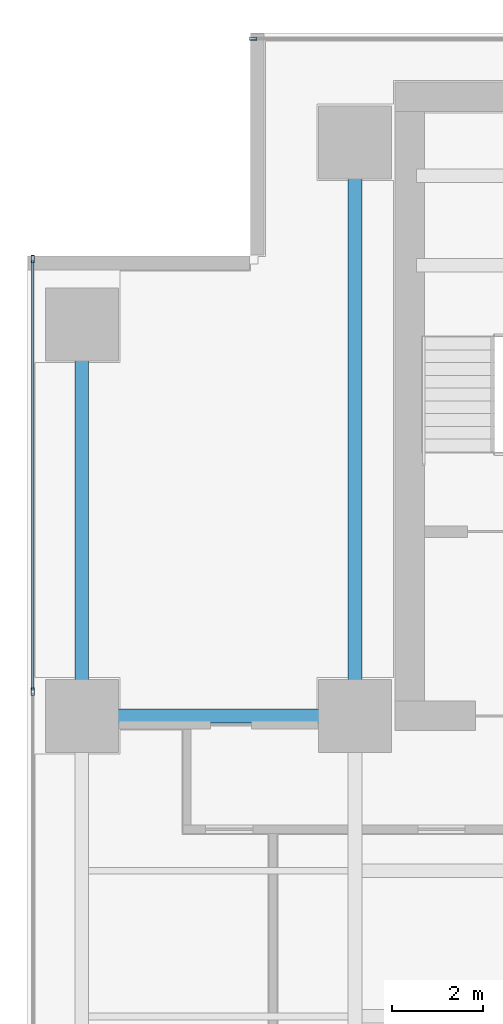
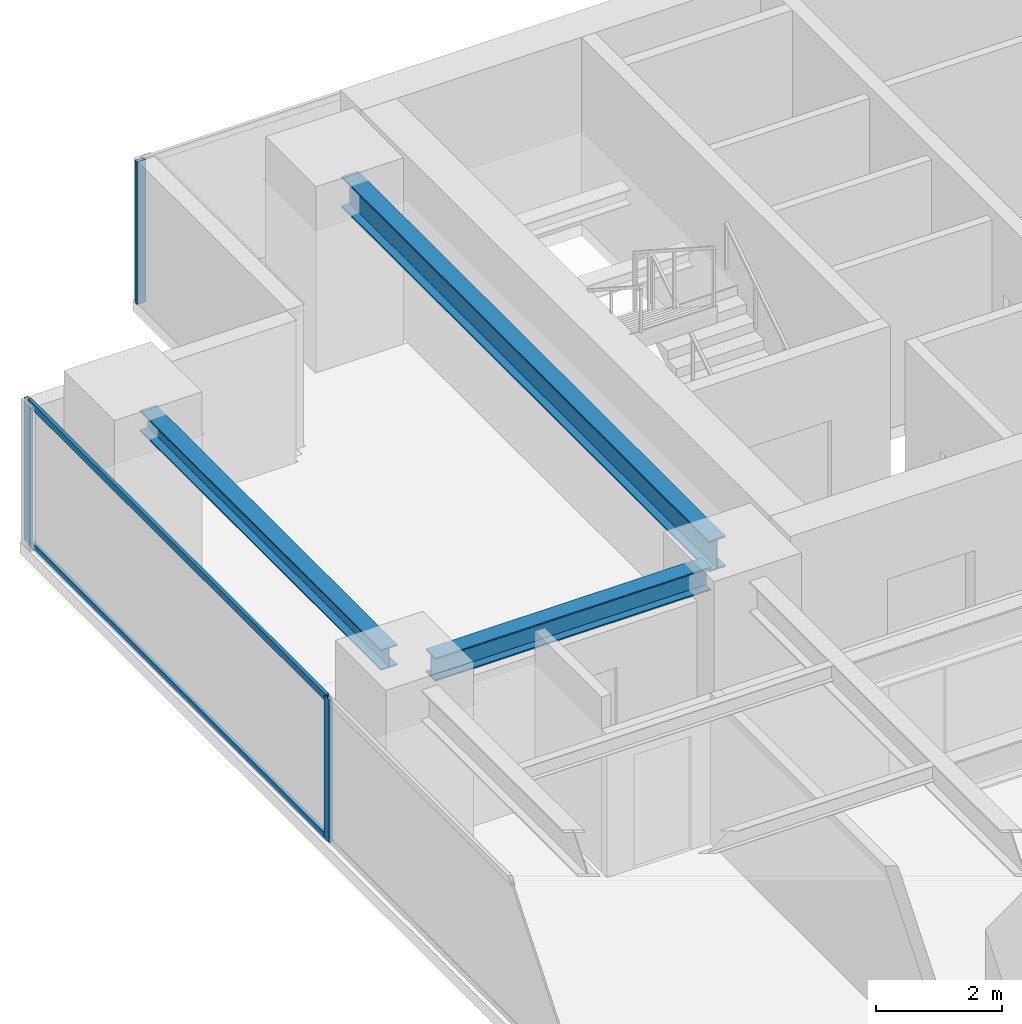
# One storey, part 14 of 28: 5 members, 3 beams, 2 elements without a shape of their own.
"""IFC4 building model written with IfcOpenShell, lengths in metres."""

from ifc_helpers import new_model, si_unit, direction, frame, origin, origin_2d, place, context, subcontext, project, spatial, hollow_rectangle, i_section, extrude, source, transform, mapped, material, layer, layer_set, material_profile, profile_set, type_object, element, aggregate, save


model = new_model("IFC4")

# Units and contexts
model_context = context("Model", 3, precision=1e-05, world=origin(), true_north=direction((0.0, 1.0)))
body_context = subcontext(model_context, "Body", "Model", "MODEL_VIEW")
ifc_project = project(units=[si_unit("LENGTHUNIT", "METRE"), si_unit("AREAUNIT", "SQUARE_METRE"), si_unit("VOLUMEUNIT", "CUBIC_METRE"), si_unit("PLANEANGLEUNIT", "RADIAN"), si_unit("MASSUNIT", "GRAM", prefix="KILO")], contexts=[model_context])

# Site, building, storey
site_placement = place(None, origin())
site = spatial("IfcSite", under=ifc_project, at=site_placement, CompositionType="ELEMENT")
building_placement = place(site_placement, origin())
building = spatial("IfcBuilding", under=site, at=building_placement, Name="Sumidabori Civic Tower", CompositionType="ELEMENT")
storey_placement = place(building_placement, frame((0.0, 0.0, 171.199951171875)))
storey = spatial("IfcBuildingStorey", under=building, at=storey_placement, Name="L44", CompositionType="ELEMENT", Elevation=171.199951171875)

# Beams
ifc_material_1 = material(Name="Steel SN490", Category="steel")
ifc_material_profile_1 = material_profile(ifc_material_1, i_section(OverallWidth=0.300048828125, OverallDepth=0.39990234375, WebThickness=0.013427734375, FlangeThickness=0.02392578125, at=origin_2d()), Name="HE 400 B")
ifc_profile_set_1 = profile_set([ifc_material_profile_1], Name="Steel SN490")
beam_type_1 = type_object("IfcBeamType", Name="BM-GIRD-400", PredefinedType="BEAM", material=ifc_profile_set_1)
shared_shape_1 = source(origin(), body_context, "Body", "SweptSolid", [
    extrude(i_section(OverallWidth=0.300048828125, OverallDepth=0.39990234375, WebThickness=0.013427734375, FlangeThickness=0.02392578125, at=origin_2d()), origin(), (0.0, 0.0, 1.0), 7.64013671875),
])
beam_1_placement = place(storey_placement, frame((-22.800048828125, 10.679931640625, 3.179931640625), z_axis=(0.0, 1.0, 0.0), x_axis=(-1.0, 0.0, 0.0)))
element("IfcBeam", 1, at=beam_1_placement, inside=storey, type_object=beam_type_1, Name="Primary Girder L44 GY-21", PredefinedType="BEAM", context=body_context, shape_type="MappedRepresentation", body=[
    mapped(shared_shape_1, transform((0.0, 0.0, 0.0), x_axis=(1.0, 0.0, 0.0), y_axis=(0.0, 1.0, 0.0), z_axis=(0.0, 0.0, 1.0), scale=1.0)),
])
ifc_material_profile_2 = material_profile(ifc_material_1, i_section(OverallWidth=0.300048828125, OverallDepth=0.60009765625, WebThickness=0.015380859375, FlangeThickness=0.030029296875, at=origin_2d()), Name="HE 600 B")
ifc_profile_set_2 = profile_set([ifc_material_profile_2], Name="Steel SN490")
beam_type_2 = type_object("IfcBeamType", Name="BM-GIRD-600", PredefinedType="BEAM", material=ifc_profile_set_2)
shared_shape_2 = source(origin(), body_context, "Body", "SweptSolid", [
    extrude(i_section(OverallWidth=0.300048828125, OverallDepth=0.60009765625, WebThickness=0.015380859375, FlangeThickness=0.030029296875, at=origin_2d()), origin(), (0.0, 0.0, 1.0), 11.64013671875),
])
beam_2_placement = place(storey_placement, frame((-16.800048828125, 10.679931640625, 3.080078125), z_axis=(0.0, 1.0, 0.0), x_axis=(-1.0, 0.0, 0.0)))
element("IfcBeam", 2, at=beam_2_placement, inside=storey, type_object=beam_type_2, Name="Primary Girder L44 GY-25", PredefinedType="BEAM", context=body_context, shape_type="MappedRepresentation", body=[
    mapped(shared_shape_2, transform((0.0, 0.0, 0.0), x_axis=(1.0, 0.0, 0.0), y_axis=(0.0, 1.0, 0.0), z_axis=(0.0, 0.0, 1.0), scale=1.0)),
])
ifc_material_profile_3 = material_profile(ifc_material_1, i_section(OverallWidth=0.300048828125, OverallDepth=0.449951171875, WebThickness=0.013916015625, FlangeThickness=0.02587890625, at=origin_2d()), Name="HE 450 B")
ifc_profile_set_3 = profile_set([ifc_material_profile_3], Name="Steel SN490")
beam_type_3 = type_object("IfcBeamType", Name="BM-GIRD-450", PredefinedType="BEAM", material=ifc_profile_set_3)
shared_shape_3 = source(origin(), body_context, "Body", "SweptSolid", [
    extrude(i_section(OverallWidth=0.300048828125, OverallDepth=0.449951171875, WebThickness=0.013916015625, FlangeThickness=0.02587890625, at=origin_2d()), origin(), (0.0, 0.0, 1.0), 5.0400390625),
])
beam_3_placement = place(storey_placement, frame((-22.320068359375, 10.199951171875, 3.155029296875), z_axis=(1.0, 0.0, 0.0), x_axis=(0.0, 1.0, 0.0)))
element("IfcBeam", 3, at=beam_3_placement, inside=storey, type_object=beam_type_3, Name="Primary Girder L44 GX-17", PredefinedType="BEAM", context=body_context, shape_type="MappedRepresentation", body=[
    mapped(shared_shape_3, transform((0.0, 0.0, 0.0), x_axis=(1.0, 0.0, 0.0), y_axis=(0.0, 1.0, 0.0), z_axis=(0.0, 0.0, 1.0), scale=1.0)),
])

# Curtain wall, member
ifc_material_2 = material(Name="Anodised Bronze Aluminium AW-6063-T6", Category="aluminium")
ifc_layer = layer(ifc_material_2, 0.179931640625, Name="Anodised Bronze Aluminium AW-6063-T6")
ifc_layer_set = layer_set([ifc_layer], Name="Anodised Bronze Aluminium AW-6063-T6")
curtain_wall_type = type_object("IfcCurtainWallType", Name="CW-SYS-3", PredefinedType="NOTDEFINED", material=ifc_layer_set)
curtain_wall_1_placement = place(storey_placement, origin())
curtain_wall_1 = element("IfcCurtainWall", 4, at=curtain_wall_1_placement, inside=storey, type_object=curtain_wall_type, Name="Curtain Wall CW:L44:R07", PredefinedType="NOTDEFINED")
ifc_material_profile_4 = material_profile(ifc_material_2, hollow_rectangle(XDim=0.06494140625, YDim=0.159912109375, WallThickness=0.0048828125, at=origin_2d()), Name="ALU MULLION 160x65")
ifc_profile_set_4 = profile_set([ifc_material_profile_4], Name="Anodised Bronze Aluminium AW-6063-T6")
member_type_1 = type_object("IfcMemberType", Name="CW-MUL-160", PredefinedType="MULLION", material=ifc_profile_set_4)
shared_shape_4 = source(origin(), body_context, "Body", "SweptSolid", [
    extrude(hollow_rectangle(XDim=0.06494140625, YDim=0.159912109375, WallThickness=0.0048828125, at=origin_2d()), origin(), (0.0, 0.0, 1.0), 2.760009765625),
])
member_1_placement = place(storey_placement, frame((-19.03759765625, 25.080078125, 0.0), z_axis=(0.0, 0.0, 1.0), x_axis=(0.0, -1.0, 0.0)))
member_1 = element("IfcMember", 5, at=member_1_placement, type_object=member_type_1, Name="CW-3 mullion 5", PredefinedType="MULLION", context=body_context, shape_type="MappedRepresentation", body=[
    mapped(shared_shape_4, transform((0.0, 0.0, 0.0), x_axis=(1.0, 0.0, 0.0), y_axis=(0.0, 1.0, 0.0), z_axis=(0.0, 0.0, 1.0), scale=1.0)),
])
aggregate(curtain_wall_1, [member_1])

# Curtain wall, members
curtain_wall_2_placement = place(storey_placement, origin())
curtain_wall_2 = element("IfcCurtainWall", 6, at=curtain_wall_2_placement, inside=storey, type_object=curtain_wall_type, Name="Curtain Wall CW:L44:R10", PredefinedType="NOTDEFINED")
member_2_placement = place(storey_placement, frame((-23.8798828125, 20.237548828125, 0.0), z_axis=(0.0, 0.0, 1.0), x_axis=(1.0, 0.0, 0.0)))
member_2 = element("IfcMember", 7, at=member_2_placement, type_object=member_type_1, Name="CW-3 mullion 1", PredefinedType="MULLION", context=body_context, shape_type="MappedRepresentation", body=[
    mapped(shared_shape_4, transform((0.0, 0.0, 0.0), x_axis=(1.0, 0.0, 0.0), y_axis=(0.0, 1.0, 0.0), z_axis=(0.0, 0.0, 1.0), scale=1.0)),
])
member_3_placement = place(storey_placement, frame((-23.8798828125, 10.735107421875, 0.0), z_axis=(0.0, 0.0, 1.0), x_axis=(1.0, 0.0, 0.0)))
member_3 = element("IfcMember", 8, at=member_3_placement, type_object=member_type_1, Name="CW-3 mullion 2", PredefinedType="MULLION", context=body_context, shape_type="MappedRepresentation", body=[
    mapped(shared_shape_4, transform((0.0, 0.0, 0.0), x_axis=(1.0, 0.0, 0.0), y_axis=(0.0, 1.0, 0.0), z_axis=(0.0, 0.0, 1.0), scale=1.0)),
])
ifc_material_profile_5 = material_profile(ifc_material_2, hollow_rectangle(XDim=0.06005859375, YDim=0.1298828125, WallThickness=0.0048828125, at=origin_2d()), Name="ALU TRANSOM 130x60")
ifc_profile_set_5 = profile_set([ifc_material_profile_5], Name="Anodised Bronze Aluminium AW-6063-T6")
member_type_2 = type_object("IfcMemberType", Name="CW-TRN-130", PredefinedType="USERDEFINED", material=ifc_profile_set_5)
shared_shape_5 = source(origin(), body_context, "Body", "SweptSolid", [
    extrude(hollow_rectangle(XDim=0.06005859375, YDim=0.1298828125, WallThickness=0.0048828125, at=origin_2d()), origin(), (0.0, 0.0, 1.0), 9.4375),
])
member_4_placement = place(storey_placement, frame((-23.8798828125, 20.205078125, 0.030029296875), z_axis=(0.0, -1.0, 0.0), x_axis=(1.0, 0.0, 0.0)))
member_4 = element("IfcMember", 9, at=member_4_placement, type_object=member_type_2, Name="CW-3 transom 1.1", ObjectType="TRANSOM", PredefinedType="USERDEFINED", context=body_context, shape_type="MappedRepresentation", body=[
    mapped(shared_shape_5, transform((0.0, 0.0, 0.0), x_axis=(1.0, 0.0, 0.0), y_axis=(0.0, 1.0, 0.0), z_axis=(0.0, 0.0, 1.0), scale=1.0)),
])
member_5_placement = place(storey_placement, frame((-23.8798828125, 20.205078125, 2.72998046875), z_axis=(0.0, -1.0, 0.0), x_axis=(1.0, 0.0, 0.0)))
member_5 = element("IfcMember", 10, at=member_5_placement, type_object=member_type_2, Name="CW-3 transom 1.2", ObjectType="TRANSOM", PredefinedType="USERDEFINED", context=body_context, shape_type="MappedRepresentation", body=[
    mapped(shared_shape_5, transform((0.0, 0.0, 0.0), x_axis=(1.0, 0.0, 0.0), y_axis=(0.0, 1.0, 0.0), z_axis=(0.0, 0.0, 1.0), scale=1.0)),
])
aggregate(curtain_wall_2, [member_2, member_3, member_4, member_5])

save(model, "model.ifc")
